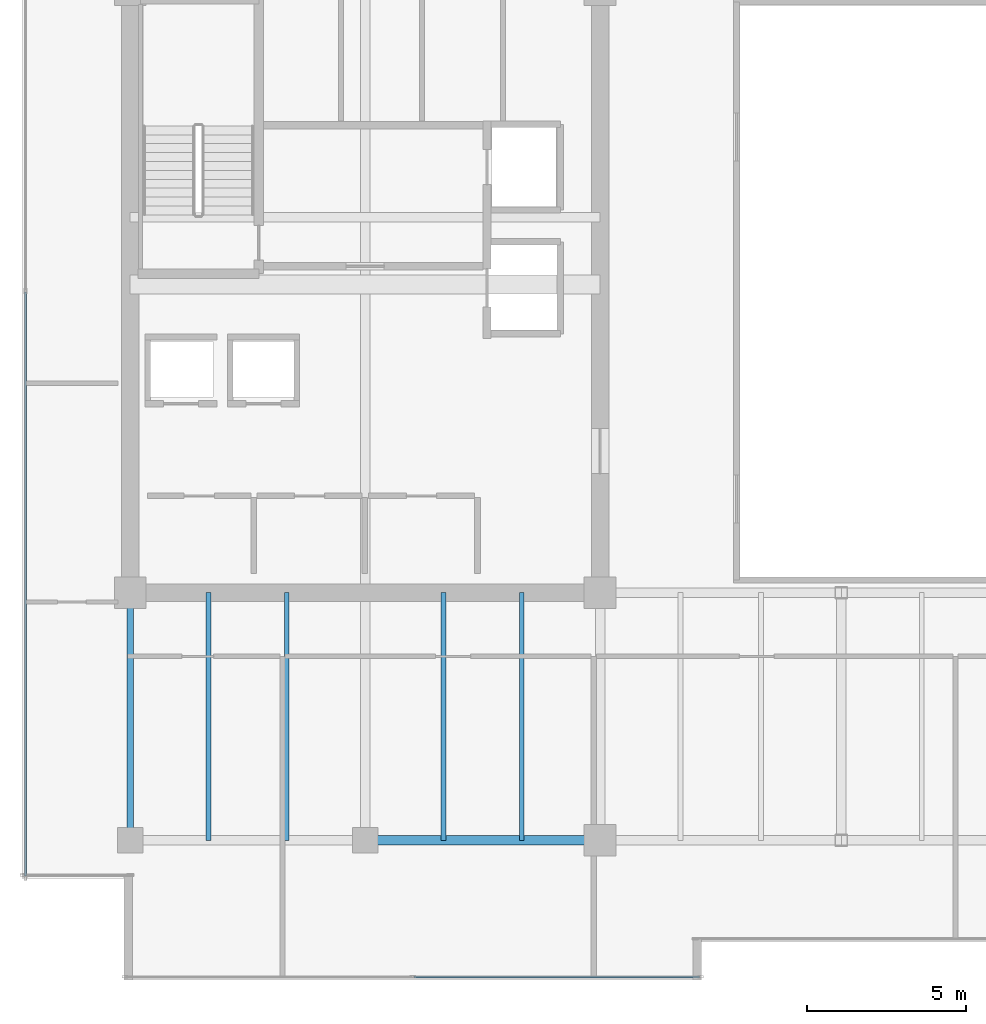
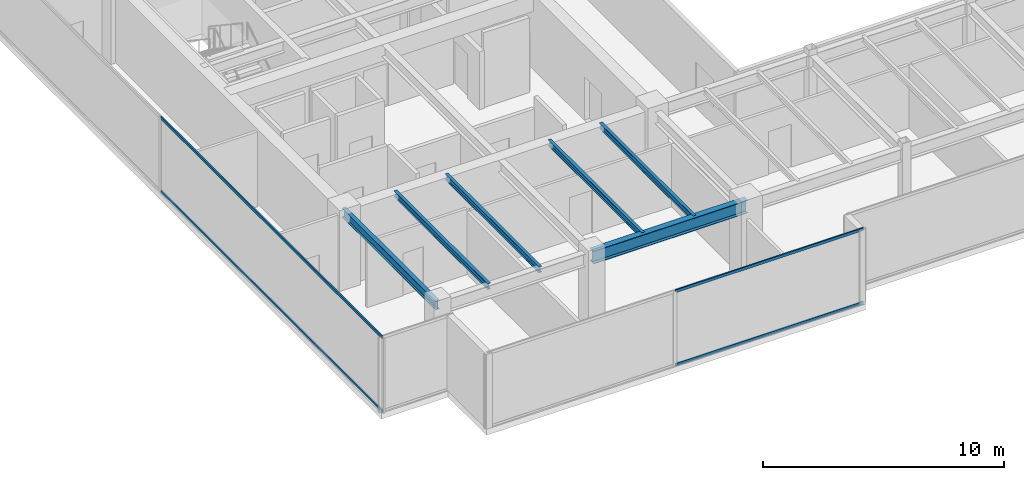
# One storey, part 6 of 33: 6 beams, 4 members, 2 elements without a shape of their own.
"""IFC4 building model written with IfcOpenShell, lengths in metres."""

import ifcopenshell
import ifcopenshell.guid

model = None  # the IFC model being written
_history = None  # IfcOwnerHistory: only IFC2X3 demands one
_inside = {}  # id of a spatial element -> (the spatial element, [elements in it])
_under = {}  # id of a project, library or spatial element -> (it, [spatial elements below it])
_declared = {}  # id of a project -> (the project, [libraries it declares])
_typed = {}  # id of a type object -> (the type object, [elements of that type])
_made_of = {}  # id of a material, layer set ... -> (it, [elements and type objects made of it])


def new_model(schema):
    """Start an empty IFC model of exactly this schema.

    Asked for "IFC4X3", IfcOpenShell would pick the latest addendum, in which some entities
    have other attributes; the version numbers below select the first issue.
    IFC2X3 requires an IfcOwnerHistory on every rooted entity: one is made here for all.
    """
    global model, _history
    if schema == "IFC4X3":
        model = ifcopenshell.file(schema_version=(4, 3, 0, 0))
    else:
        model = ifcopenshell.file(schema=schema)
    _inside.clear()
    _under.clear()
    _declared.clear()
    _typed.clear()
    _made_of.clear()
    _history = None
    if model.schema == "IFC2X3":
        org = make("IfcOrganization", Name="unknown")
        user = make(
            "IfcPersonAndOrganization",
            ThePerson=make("IfcPerson", FamilyName="unknown"),
            TheOrganization=org,
        )
        app = make(
            "IfcApplication",
            ApplicationDeveloper=org,
            Version="unknown",
            ApplicationFullName="unknown",
            ApplicationIdentifier="unknown",
        )
        _history = make(
            "IfcOwnerHistory",
            OwningUser=user,
            OwningApplication=app,
            ChangeAction="ADDED",
            CreationDate=0,
        )
    return model


def make(cls, **values):
    """One entity of the class cls with the attributes given. An attribute that is None is left unset."""
    return model.create_entity(
        cls, **{name: value for name, value in values.items() if value is not None}
    )


def rooted(cls, **values):
    """An entity with a GlobalId (a new one), such as an element, a storey or a relation."""
    return make(cls, GlobalId=ifcopenshell.guid.new(), OwnerHistory=_history, **values)


def si_unit(unit_type, name, prefix=None):
    """IfcSIUnit, for example si_unit("LENGTHUNIT", "METRE", prefix="MILLI")."""
    return make("IfcSIUnit", UnitType=unit_type, Prefix=prefix, Name=name)


def assignment(units):
    """IfcUnitAssignment: the units of a project."""
    return None if units is None else make("IfcUnitAssignment", Units=units)


def point(xyz):
    """IfcCartesianPoint."""
    return None if xyz is None else make("IfcCartesianPoint", Coordinates=xyz)


def direction(xyz):
    """IfcDirection."""
    return None if xyz is None else make("IfcDirection", DirectionRatios=xyz)


def frame(location, z_axis=None, x_axis=None):
    """IfcAxis2Placement3D, a coordinate frame: its origin and axes. An axis left out is left unset."""
    return make(
        "IfcAxis2Placement3D",
        Location=point(location),
        Axis=direction(z_axis),
        RefDirection=direction(x_axis),
    )


def frame_2d(location, x_axis=None):
    """IfcAxis2Placement2D, a coordinate frame in the plane: its origin and x axis."""
    return make(
        "IfcAxis2Placement2D", Location=point(location), RefDirection=direction(x_axis)
    )


def origin():
    """The frame at (0, 0, 0) with its axes left unset."""
    return frame((0.0, 0.0, 0.0))


def origin_2d():
    """The frame at (0, 0) in the plane with its x axis left unset."""
    return frame_2d((0.0, 0.0))


def place(relative_to, where):
    """IfcLocalPlacement: puts the frame where relative to a parent placement (None: the world)."""
    return make(
        "IfcLocalPlacement", PlacementRelTo=relative_to, RelativePlacement=where
    )


def context(
    kind, dimensions, precision=None, world=None, true_north=None, identifier=None
):
    """IfcGeometricRepresentationContext, for example the 3D "Model" context."""
    return make(
        "IfcGeometricRepresentationContext",
        ContextIdentifier=identifier,
        ContextType=kind,
        CoordinateSpaceDimension=dimensions,
        Precision=precision,
        WorldCoordinateSystem=world,
        TrueNorth=true_north,
    )


def subcontext(parent, identifier, kind, view, scale=None):
    """IfcGeometricRepresentationSubContext, for example "Body" below "Model"."""
    return make(
        "IfcGeometricRepresentationSubContext",
        ContextIdentifier=identifier,
        ContextType=kind,
        ParentContext=parent,
        TargetScale=scale,
        TargetView=view,
    )


def project(units=None, contexts=None):
    """IfcProject with its units and contexts."""
    return rooted(
        "IfcProject",
        Name="project",
        RepresentationContexts=contexts,
        UnitsInContext=assignment(units),
    )


def spatial(cls, under=None, at=None, **own):
    """A site, building, storey or space (cls), placed at a placement, below another one or the project."""
    s = rooted(cls, ObjectPlacement=at, **own)
    if under is not None:
        _under.setdefault(under.id(), (under, []))[1].append(s)
    return s


def profile(cls, at=None, kind="AREA", **sizes):
    """A parametric profile (cls). Its sizes go by their IFC names, for example OverallWidth=200.0."""
    return make(cls, ProfileType=kind, Position=at, **sizes)


def hollow_rectangle(**sizes):
    """IfcRectangleHollowProfileDef."""
    return profile("IfcRectangleHollowProfileDef", **sizes)


def i_section(**sizes):
    """IfcIShapeProfileDef."""
    return profile("IfcIShapeProfileDef", **sizes)


def extrude(swept, where, along, depth):
    """IfcExtrudedAreaSolid: the profile swept, set in the frame where, extruded along a direction by depth."""
    return make(
        "IfcExtrudedAreaSolid",
        SweptArea=swept,
        Position=where,
        ExtrudedDirection=direction(along),
        Depth=depth,
    )


def shape(context_of_items, identifier, shape_type, items):
    """IfcShapeRepresentation: the items that make up one representation, for example the "Body"."""
    return make(
        "IfcShapeRepresentation",
        ContextOfItems=context_of_items,
        RepresentationIdentifier=identifier,
        RepresentationType=shape_type,
        Items=items,
    )


def source(mapping_origin, context_of_items, identifier, shape_type, items):
    """IfcRepresentationMap: a shape defined once, which mapped items show again and again."""
    return make(
        "IfcRepresentationMap",
        MappingOrigin=mapping_origin,
        MappedRepresentation=shape(context_of_items, identifier, shape_type, items),
    )


def transform(
    local_origin,
    x_axis=None,
    y_axis=None,
    z_axis=None,
    scale=None,
    scale2=None,
    scale3=None,
    uniform=True,
):
    """IfcCartesianTransformationOperator3D, or its non-uniform kind. x_axis, y_axis, z_axis: its Axis1, 2, 3."""
    if uniform:
        return make(
            "IfcCartesianTransformationOperator3D",
            Axis1=direction(x_axis),
            Axis2=direction(y_axis),
            LocalOrigin=point(local_origin),
            Scale=scale,
            Axis3=direction(z_axis),
        )
    return make(
        "IfcCartesianTransformationOperator3DnonUniform",
        Axis1=direction(x_axis),
        Axis2=direction(y_axis),
        LocalOrigin=point(local_origin),
        Scale=scale,
        Axis3=direction(z_axis),
        Scale2=scale2,
        Scale3=scale3,
    )


def mapped(mapping_source, mapping_target):
    """IfcMappedItem: shows the shape of a source again, moved by a transform."""
    return make(
        "IfcMappedItem", MappingSource=mapping_source, MappingTarget=mapping_target
    )


def material(Name=None, Category=None):
    """IfcMaterial."""
    return make("IfcMaterial", Name=Name, Category=Category)


def layer(
    of_material, thickness, ventilated=None, Name=None, Category=None, Priority=None
):
    """IfcMaterialLayer: one layer of a wall or slab, of a material (None: an air gap)."""
    return make(
        "IfcMaterialLayer",
        Material=of_material,
        LayerThickness=thickness,
        IsVentilated=ventilated,
        Name=Name,
        Category=Category,
        Priority=Priority,
    )


def layer_set(layers, Name=None):
    """IfcMaterialLayerSet."""
    return make("IfcMaterialLayerSet", MaterialLayers=layers, LayerSetName=Name)


def material_profile(
    of_material, cross_section, Name=None, Category=None, Priority=None
):
    """IfcMaterialProfile: a cross section and its material."""
    return make(
        "IfcMaterialProfile",
        Name=Name,
        Material=of_material,
        Profile=cross_section,
        Priority=Priority,
        Category=Category,
    )


def profile_set(profiles, Name=None, composite=None):
    """IfcMaterialProfileSet."""
    return make(
        "IfcMaterialProfileSet",
        Name=Name,
        MaterialProfiles=profiles,
        CompositeProfile=composite,
    )


def made_of(thing, what):
    """Note that an element or type object is made of a material, layer set ...; save() writes the relation."""
    if what is not None:
        _made_of.setdefault(what.id(), (what, []))[1].append(thing)
    return thing


def type_object(cls, material=None, **own):
    """A type object (cls), such as IfcWallType, which elements share."""
    return made_of(rooted(cls, **own), material)


def type_shapes(of_type, sources):
    """Give a type object the sources (RepresentationMaps) that its elements show as mapped items."""
    of_type.RepresentationMaps = sources


def element(
    cls,
    number,
    at=None,
    inside=None,
    cuts=None,
    type_object=None,
    material=None,
    context=None,
    identifier="Body",
    shape_type=None,
    held_by="IfcProductDefinitionShape",
    body=None,
    shapes=None,
    **own,
):
    """One element of the class cls, such as IfcWall. Its Tag is "e" and its number.

    at: its placement. inside: the storey or other place that contains it. cuts: it is an
    opening in that element (IfcRelVoidsElement). A single representation is given by context,
    identifier, shape_type and body (its items); several are given by shapes. held_by: the class
    of the entity that holds the representations. save() writes the other relations.
    """
    e = rooted(cls, Tag="e%d" % number, ObjectPlacement=at, **own)
    if body is not None:
        shapes = [shape(context, identifier, shape_type, body)]
    if shapes is not None:
        e.Representation = make(held_by, Representations=shapes)
    if inside is not None:
        _inside.setdefault(inside.id(), (inside, []))[1].append(e)
    if cuts is not None:
        rooted(
            "IfcRelVoidsElement", RelatingBuildingElement=cuts, RelatedOpeningElement=e
        )
    if type_object is not None:
        _typed.setdefault(type_object.id(), (type_object, []))[1].append(e)
    return made_of(e, material)


def aggregate(whole, parts):
    """IfcRelAggregates: a whole, such as a stair, and the parts it consists of."""
    return rooted("IfcRelAggregates", RelatingObject=whole, RelatedObjects=parts)


def save(model, path):
    """Write the relations noted so far, then the file.

    IfcRelAggregates (storeys below a building ...), IfcRelContainedInSpatialStructure (elements
    in a storey), IfcRelDefinesByType, IfcRelAssociatesMaterial and IfcRelDeclares: one each for
    every whole, place, type object, material and project.
    """
    for whole, parts in _under.values():
        aggregate(whole, parts)
    for where, things in _inside.values():
        rooted(
            "IfcRelContainedInSpatialStructure",
            RelatedElements=things,
            RelatingStructure=where,
        )
    for kind, things in _typed.values():
        rooted("IfcRelDefinesByType", RelatedObjects=things, RelatingType=kind)
    for what, things in _made_of.values():
        rooted("IfcRelAssociatesMaterial", RelatedObjects=things, RelatingMaterial=what)
    for by, libraries in _declared.values():
        rooted("IfcRelDeclares", RelatingContext=by, RelatedDefinitions=libraries)
    model.write(path)


model = new_model("IFC4")

# Units and contexts
model_context = context("Model", 3, precision=1e-05, world=origin(), true_north=direction((0.0, 1.0)))
body_context = subcontext(model_context, "Body", "Model", "MODEL_VIEW")
ifc_project = project(units=[si_unit("LENGTHUNIT", "METRE"), si_unit("AREAUNIT", "SQUARE_METRE"), si_unit("VOLUMEUNIT", "CUBIC_METRE"), si_unit("PLANEANGLEUNIT", "RADIAN"), si_unit("MASSUNIT", "GRAM", prefix="KILO")], contexts=[model_context])

# Site, building, storey
site_placement = place(None, origin())
site = spatial("IfcSite", under=ifc_project, at=site_placement, CompositionType="ELEMENT")
building_placement = place(site_placement, origin())
building = spatial("IfcBuilding", under=site, at=building_placement, Name="Haelvirn Gate Laboratories", CompositionType="ELEMENT")
storey_placement = place(building_placement, frame((0.0, 0.0, 209.60009765625)))
storey = spatial("IfcBuildingStorey", under=building, at=storey_placement, Name="L50", CompositionType="ELEMENT", Elevation=209.60009765625)

# Beams
ifc_material_1 = material(Name="Steel SM355", Category="steel")
ifc_material_profile_1 = material_profile(ifc_material_1, i_section(OverallWidth=0.14990234375, OverallDepth=0.300048828125, WebThickness=0.006591796875, FlangeThickness=0.009033203125, at=origin_2d()), Name="H-300x150x6.5x9")
ifc_profile_set_1 = profile_set([ifc_material_profile_1], Name="Steel SM355")
beam_type_1 = type_object("IfcBeamType", Name="BM-J-300", PredefinedType="JOIST", material=ifc_profile_set_1)
shared_shape_1 = source(origin(), body_context, "Body", "SweptSolid", [
    extrude(i_section(OverallWidth=0.14990234375, OverallDepth=0.300048828125, WebThickness=0.006591796875, FlangeThickness=0.009033203125, at=origin_2d()), origin(), (0.0, 0.0, 1.0), 7.800048828125),
])
type_shapes(beam_type_1, [shared_shape_1])
for number, where, z_axis, x_axis, name in (
    (1, (9.8701171875, 7.0, 3.64990234375), (0.0, 1.0, 0.0), (-1.0, 0.0, 0.0), "L50 Composite Lab Joist South X9.87"),
    (2, (12.330078125, 7.0, 3.64990234375), (0.0, 1.0, 0.0), (-1.0, 0.0, 0.0), "L50 Composite Lab Joist South X12.33"),
    (3, (17.27001953125, 7.0, 3.64990234375), (0.0, 1.0, 0.0), (-1.0, 0.0, 0.0), "L50 Composite Lab Joist South X17.27"),
    (4, (19.72998046875, 7.0, 3.64990234375), (0.0, 1.0, 0.0), (-1.0, 0.0, 0.0), "L50 Composite Lab Joist South X19.73"),
):
    element("IfcBeam", number, at=place(storey_placement, frame(where, z_axis=z_axis, x_axis=x_axis)), inside=storey, type_object=beam_type_1, Name=name, PredefinedType="JOIST", context=body_context, shape_type="MappedRepresentation", body=[
        mapped(shared_shape_1, transform((0.0, 0.0, 0.0), scale=1.0)),
    ])
ifc_material_profile_2 = material_profile(ifc_material_1, i_section(OverallWidth=0.300048828125, OverallDepth=0.64990234375, WebThickness=0.012939453125, FlangeThickness=0.02197265625, at=origin_2d()), Name="H-650x300x13x22")
ifc_profile_set_2 = profile_set([ifc_material_profile_2], Name="Steel SM355")
beam_type_2 = type_object("IfcBeamType", Name="BM-G-650", PredefinedType="BEAM", material=ifc_profile_set_2)
shared_shape_2 = source(origin(), body_context, "Body", "SweptSolid", [
    extrude(i_section(OverallWidth=0.300048828125, OverallDepth=0.64990234375, WebThickness=0.012939453125, FlangeThickness=0.02197265625, at=origin_2d()), origin(), (0.0, 0.0, 1.0), 7.39990234375),
])
type_shapes(beam_type_2, [shared_shape_2])
beam_1_placement = place(storey_placement, frame((14.800048828125, 7.0, 3.474853515625), z_axis=(1.0, 0.0, 0.0), x_axis=(0.0, 1.0, 0.0)))
element("IfcBeam", 5, at=beam_1_placement, inside=storey, type_object=beam_type_2, Name="L50 Primary Girder Y7.0 (14.8-22.2)", PredefinedType="BEAM", context=body_context, shape_type="MappedRepresentation", body=[
    mapped(shared_shape_2, transform((0.0, 0.0, 0.0), scale=1.0)),
])
ifc_material_profile_3 = material_profile(ifc_material_1, i_section(OverallWidth=0.199951171875, OverallDepth=0.449951171875, WebThickness=0.009033203125, FlangeThickness=0.013916015625, at=origin_2d()), Name="H-450x200x9x14")
ifc_profile_set_3 = profile_set([ifc_material_profile_3], Name="Steel SM355")
beam_type_3 = type_object("IfcBeamType", Name="BM-SP-450", PredefinedType="SPANDREL", material=ifc_profile_set_3)
shared_shape_3 = source(origin(), body_context, "Body", "SweptSolid", [
    extrude(i_section(OverallWidth=0.199951171875, OverallDepth=0.449951171875, WebThickness=0.009033203125, FlangeThickness=0.013916015625, at=origin_2d()), origin(), (0.0, 0.0, 1.0), 7.800048828125),
])
type_shapes(beam_type_3, [shared_shape_3])
beam_2_placement = place(storey_placement, frame((7.39990234375, 7.0, 3.574951171875), z_axis=(0.0, 1.0, 0.0), x_axis=(-1.0, 0.0, 0.0)))
element("IfcBeam", 6, at=beam_2_placement, inside=storey, type_object=beam_type_3, Name="L50 Perimeter Spandrel X7.4 (7.0-14.8)", PredefinedType="SPANDREL", context=body_context, shape_type="MappedRepresentation", body=[
    mapped(shared_shape_3, transform((0.0, 0.0, 0.0), scale=1.0)),
])

# Curtain wall, members
ifc_material_2 = material(Name="Anodised bronze unitised aluminium & triple low-E glass", Category="aluminium")
ifc_layer = layer(ifc_material_2, 0.176025390625, Name="CW-SYS-4")
ifc_layer_set = layer_set([ifc_layer], Name="Anodised bronze unitised aluminium & triple low-E glass")
curtain_wall_type = type_object("IfcCurtainWallType", Name="CW-SYS-4", PredefinedType="NOTDEFINED", material=ifc_layer_set)
curtain_wall_1_placement = place(storey_placement, origin())
curtain_wall_1 = element("IfcCurtainWall", 7, at=curtain_wall_1_placement, inside=storey, type_object=curtain_wall_type, Name="L50 Unitised Curtain Wall CW-L50-P0-E00-1", PredefinedType="NOTDEFINED")
ifc_material_3 = material(Name="Extruded aluminium 6063-T6 (anodised bronze)", Category="aluminium")
ifc_material_profile_4 = material_profile(ifc_material_3, hollow_rectangle(XDim=0.06494140625, YDim=0.139892578125, WallThickness=0.00390625, at=origin_2d()), Name="CWT-140x65x4")
ifc_profile_set_4 = profile_set([ifc_material_profile_4], Name="Extruded aluminium 6063-T6 (anodised bronze)")
member_type = type_object("IfcMemberType", Name="CWT-T140", PredefinedType="USERDEFINED", material=ifc_profile_set_4)
shared_shape_4 = source(origin(), body_context, "Body", "SweptSolid", [
    extrude(hollow_rectangle(XDim=0.06494140625, YDim=0.139892578125, WallThickness=0.00390625, at=origin_2d()), origin(), (0.0, 0.0, 1.0), 8.9951171875),
])
member_1_placement = place(storey_placement, frame((16.3349609375, 2.699951171875, 0.032470703125), z_axis=(1.0, 0.0, 0.0), x_axis=(0.0, 1.0, 0.0)))
member_1 = element("IfcMember", 8, at=member_1_placement, type_object=member_type, Name="CW4 transom 2.1", ObjectType="TRANSOM", PredefinedType="USERDEFINED", context=body_context, shape_type="MappedRepresentation", body=[
    mapped(shared_shape_4, transform((0.0, 0.0, 0.0), scale=1.0)),
])
member_2_placement = place(storey_placement, frame((16.3349609375, 2.699951171875, 3.767333984375), z_axis=(1.0, 0.0, 0.0), x_axis=(0.0, 1.0, 0.0)))
member_2 = element("IfcMember", 9, at=member_2_placement, type_object=member_type, Name="CW4 transom 2.2", ObjectType="TRANSOM", PredefinedType="USERDEFINED", context=body_context, shape_type="MappedRepresentation", body=[
    mapped(shared_shape_4, transform((0.0, 0.0, 0.0), scale=1.0)),
])
aggregate(curtain_wall_1, [member_1, member_2])

curtain_wall_2_placement = place(storey_placement, origin())
curtain_wall_2 = element("IfcCurtainWall", 10, at=curtain_wall_2_placement, inside=storey, type_object=curtain_wall_type, Name="L50 Unitised Curtain Wall CW-L50-P0-E17", PredefinedType="NOTDEFINED")
shared_shape_5 = source(origin(), body_context, "Body", "SweptSolid", [
    extrude(hollow_rectangle(XDim=0.06494140625, YDim=0.139892578125, WallThickness=0.00390625, at=origin_2d()), origin(), (0.0, 0.0, 1.0), 18.394775390625),
])
type_shapes(member_type, [shared_shape_4, shared_shape_5])
member_3_placement = place(storey_placement, frame((4.10009765625, 24.264892578125, 0.032470703125), z_axis=(0.0, -1.0, 0.0), x_axis=(1.0, 0.0, 0.0)))
member_3 = element("IfcMember", 11, at=member_3_placement, type_object=member_type, Name="CW4 transom 2.1", ObjectType="TRANSOM", PredefinedType="USERDEFINED", context=body_context, shape_type="MappedRepresentation", body=[
    mapped(shared_shape_5, transform((0.0, 0.0, 0.0), scale=1.0)),
])
member_4_placement = place(storey_placement, frame((4.10009765625, 24.264892578125, 3.767333984375), z_axis=(0.0, -1.0, 0.0), x_axis=(1.0, 0.0, 0.0)))
member_4 = element("IfcMember", 12, at=member_4_placement, type_object=member_type, Name="CW4 transom 2.2", ObjectType="TRANSOM", PredefinedType="USERDEFINED", context=body_context, shape_type="MappedRepresentation", body=[
    mapped(shared_shape_5, transform((0.0, 0.0, 0.0), scale=1.0)),
])
aggregate(curtain_wall_2, [member_3, member_4])

save(model, "model.ifc")
